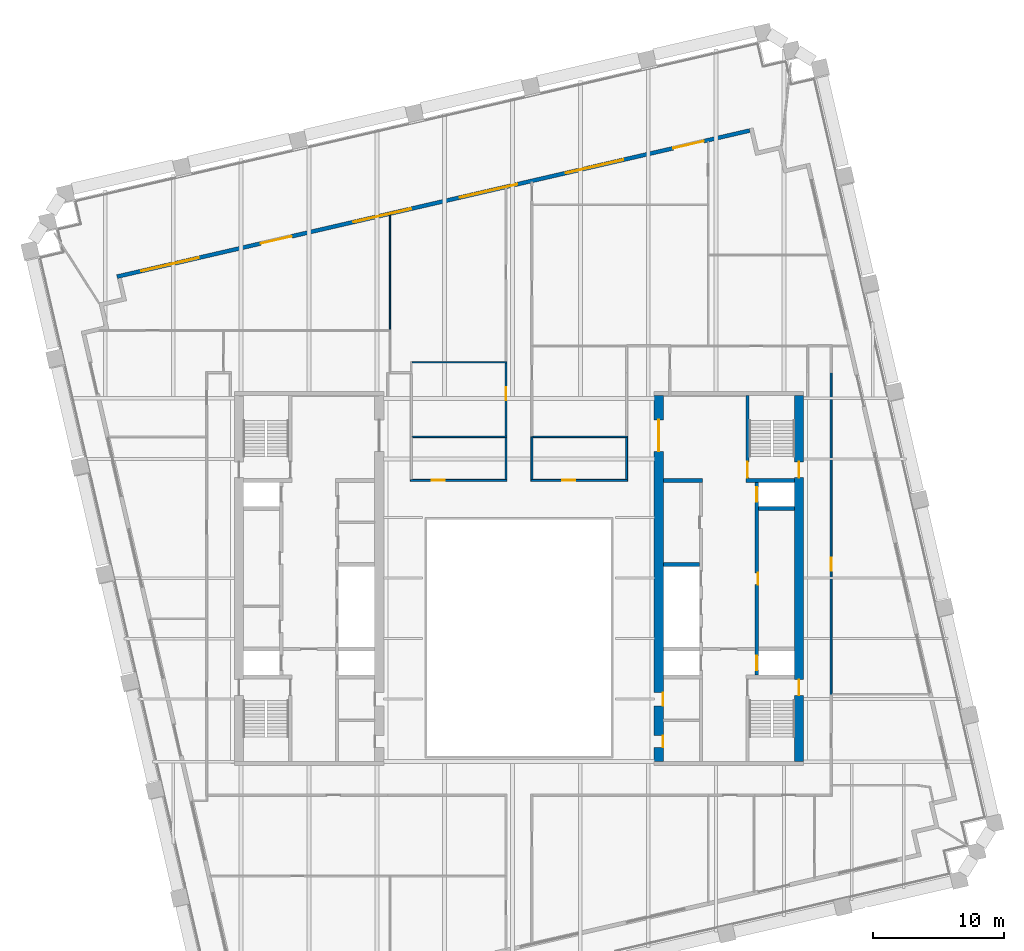
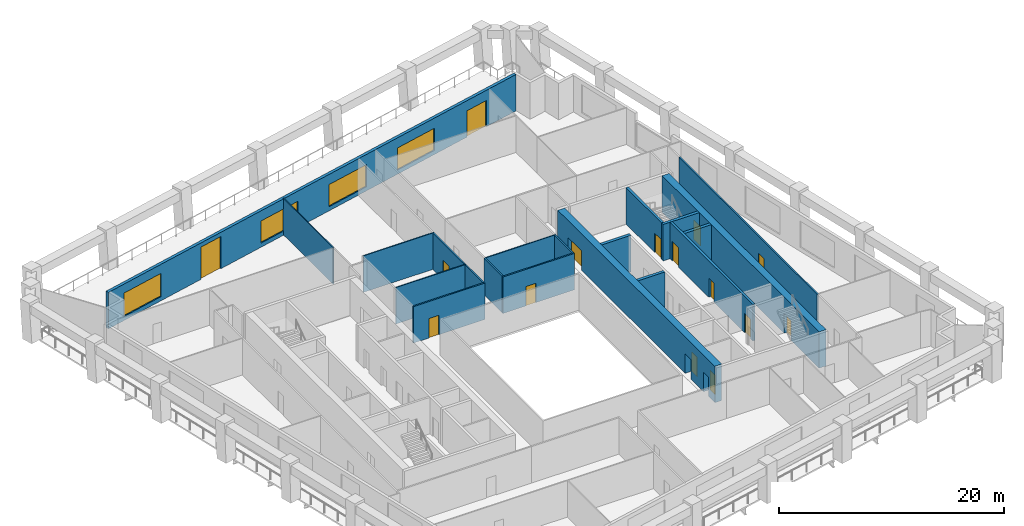
# One storey, part 7 of 11: 20 walls, 15 doors, 4 windows, 19 openings.
"""IFC4 building model written with IfcOpenShell, lengths in metres."""

from ifc_helpers import new_model, si_unit, direction, frame, frame_2d, origin, place, context, subcontext, project, spatial, rectangle, extrude, material, layer, layer_set, type_object, element, fill, save


model = new_model("IFC4")

# Units and contexts
model_context = context("Model", 3, precision=1e-05, world=origin(), true_north=direction((0.0, 1.0)))
body_context = subcontext(model_context, "Body", "Model", "MODEL_VIEW")
ifc_project = project(units=[si_unit("LENGTHUNIT", "METRE"), si_unit("AREAUNIT", "SQUARE_METRE"), si_unit("VOLUMEUNIT", "CUBIC_METRE"), si_unit("PLANEANGLEUNIT", "RADIAN"), si_unit("MASSUNIT", "GRAM", prefix="KILO")], contexts=[model_context])

# Site, building, storey
site_placement = place(None, origin())
site = spatial("IfcSite", under=ifc_project, at=site_placement, CompositionType="ELEMENT")
building_placement = place(site_placement, origin())
building = spatial("IfcBuilding", under=site, at=building_placement, Name="Ogive Exchange Tower", CompositionType="ELEMENT")
storey_placement = place(building_placement, frame((0.0, 0.0, 217.800048828125)))
storey = spatial("IfcBuildingStorey", under=building, at=storey_placement, Name="L48", CompositionType="ELEMENT", Elevation=217.800048828125)

# Wall
ifc_material_1 = material(Name="Gypsum board partition")
ifc_layer_1 = layer(ifc_material_1, 0.300048828125)
ifc_layer_set_1 = layer_set([ifc_layer_1], Name="Core room partition 300 gypsum")
wall_type_1 = type_object("IfcWallType", Name="Core room partition 300 gypsum", PredefinedType="PARTITIONING", material=ifc_layer_set_1)
wall_1_placement = place(storey_placement, frame((11.0, 19.0, 0.0), z_axis=(0.0, 0.0, 1.0), x_axis=(1.0, 0.0, 0.0)))
element("IfcWall", 1, at=wall_1_placement, inside=storey, type_object=wall_type_1, Name="E row B room end wall 7", PredefinedType="PARTITIONING", context=body_context, shape_type="SweptSolid", body=[
    extrude(rectangle(XDim=3.0, YDim=0.300048828125, at=frame_2d((1.5, 0.0))), origin(), (0.0, 0.0, 1.0), 3.949951171875),
])

# Wall, opening, door
ifc_material_2 = material(Name="Fire partition EI 60 150")
ifc_layer_2 = layer(ifc_material_2, 0.14990234375)
ifc_layer_set_2 = layer_set([ifc_layer_2], Name="Fire partition EI 60 150")
wall_type_2 = type_object("IfcWallType", Name="Fire partition EI 60 150", PredefinedType="PARTITIONING", material=ifc_layer_set_2)
wall_2_placement = place(storey_placement, frame((-8.27490234375, 19.0, 0.0), z_axis=(0.0, 0.0, 1.0), x_axis=(1.0, 0.0, 0.0)))
wall_2 = element("IfcWall", 2, at=wall_2_placement, inside=storey, type_object=wall_type_2, Name="L48-PWL-023", PredefinedType="PARTITIONING", context=body_context, shape_type="SweptSolid", body=[
    extrude(rectangle(XDim=7.35986328125, YDim=0.14990234375, at=frame_2d((3.679931640625, 0.0))), origin(), (0.0, 0.0, 1.0), 3.949951171875),
])
opening_1_placement = place(wall_2_placement, frame((1.635009765625, 0.0, 0.0)))
opening_1 = element("IfcOpeningElement", 3, at=opening_1_placement, cuts=wall_2, Name="Opening L48-I02", PredefinedType="OPENING", context=body_context, shape_type="SweptSolid", body=[
    extrude(rectangle(XDim=1.0, YDim=2.10009765625, at=frame_2d((0.5, 1.050048828125))), frame((0.0, 0.0849609375, 0.0), z_axis=(0.0, -1.0, 0.0), x_axis=(1.0, 0.0, 0.0)), (0.0, 0.0, 1.0), 0.169921875),
])
ifc_material_3 = material(Name="Fire door FD 30S 1000 x 2100")
door_type_1 = type_object("IfcDoorType", Name="Fire door FD 30S 1000 x 2100", OperationType="NOTDEFINED", PredefinedType="DOOR", material=ifc_material_3)
door_1_placement = place(opening_1_placement, origin())
door_1 = element("IfcDoor", 4, at=door_1_placement, inside=storey, type_object=door_type_1, Name="L48-IDR-002", ObjectType="DT3", OperationType="SINGLE_SWING_RIGHT", OverallHeight=2.10009765625, OverallWidth=1.0, PredefinedType="DOOR", context=body_context, shape_type="SweptSolid", body=[
    extrude(rectangle(XDim=1.0, YDim=2.10009765625, at=frame_2d((0.5, 1.050048828125))), frame((0.0, 0.02490234375, 0.0), z_axis=(0.0, -1.0, 0.0), x_axis=(1.0, 0.0, 0.0)), (0.0, 0.0, 1.0), 0.050048828125),
])
fill(opening_1, door_1)

# Wall
wall_3_placement = place(storey_placement, frame((-0.989990234375, 19.074951171875, 0.0), z_axis=(0.0, 0.0, 1.0), x_axis=(0.0, 1.0, 0.0)))
element("IfcWall", 5, at=wall_3_placement, inside=storey, type_object=wall_type_2, Name="L48-PWL-031", PredefinedType="PARTITIONING", context=body_context, shape_type="SweptSolid", body=[
    extrude(rectangle(XDim=3.18505859375, YDim=0.14990234375, at=frame_2d((1.592529296875, 0.0))), origin(), (0.0, 0.0, 1.0), 3.949951171875),
])

# Wall, opening, door
wall_4_placement = place(storey_placement, frame((-0.989990234375, 22.360107421875, 0.0), z_axis=(0.0, 0.0, 1.0), x_axis=(0.0, 1.0, 0.0)))
wall_4 = element("IfcWall", 6, at=wall_4_placement, inside=storey, type_object=wall_type_2, Name="L48-PWL-032", PredefinedType="PARTITIONING", context=body_context, shape_type="SweptSolid", body=[
    extrude(rectangle(XDim=5.58984375, YDim=0.14990234375, at=frame_2d((2.794921875, 0.0))), origin(), (0.0, 0.0, 1.0), 3.949951171875),
])
opening_2_placement = place(wall_4_placement, frame((2.739990234375, 0.0, 0.0)))
opening_2 = element("IfcOpeningElement", 7, at=opening_2_placement, cuts=wall_4, Name="Opening L48-I03", PredefinedType="OPENING", context=body_context, shape_type="SweptSolid", body=[
    extrude(rectangle(XDim=1.0, YDim=2.10009765625, at=frame_2d((0.5, 1.050048828125))), frame((0.0, 0.0849609375, 0.0), z_axis=(0.0, -1.0, 0.0), x_axis=(1.0, 0.0, 0.0)), (0.0, 0.0, 1.0), 0.169921875),
])
door_2_placement = place(opening_2_placement, origin())
door_2 = element("IfcDoor", 8, at=door_2_placement, inside=storey, type_object=door_type_1, Name="L48-IDR-003", ObjectType="DT3", OperationType="SINGLE_SWING_LEFT", OverallHeight=2.10009765625, OverallWidth=1.0, PredefinedType="DOOR", context=body_context, shape_type="SweptSolid", body=[
    extrude(rectangle(XDim=1.0, YDim=2.10009765625, at=frame_2d((0.5, 1.050048828125))), frame((0.0, 0.02490234375, 0.0), z_axis=(0.0, -1.0, 0.0), x_axis=(1.0, 0.0, 0.0)), (0.0, 0.0, 1.0), 0.050048828125),
])
fill(opening_2, door_2)

wall_5_placement = place(storey_placement, frame((0.9150390625, 19.0, 0.0), z_axis=(0.0, 0.0, 1.0), x_axis=(1.0, 0.0, 0.0)))
wall_5 = element("IfcWall", 9, at=wall_5_placement, inside=storey, type_object=wall_type_2, Name="L48-PWL-035", PredefinedType="PARTITIONING", context=body_context, shape_type="SweptSolid", body=[
    extrude(rectangle(XDim=7.35986328125, YDim=0.14990234375, at=frame_2d((3.679931640625, 0.0))), origin(), (0.0, 0.0, 1.0), 3.949951171875),
])
opening_3_placement = place(wall_5_placement, frame((2.385009765625, 0.0, 0.0)))
opening_3 = element("IfcOpeningElement", 10, at=opening_3_placement, cuts=wall_5, Name="Opening L48-I12", PredefinedType="OPENING", context=body_context, shape_type="SweptSolid", body=[
    extrude(rectangle(XDim=1.0, YDim=2.10009765625, at=frame_2d((0.5, 1.050048828125))), frame((0.0, 0.0849609375, 0.0), z_axis=(0.0, -1.0, 0.0), x_axis=(1.0, 0.0, 0.0)), (0.0, 0.0, 1.0), 0.169921875),
])
door_3_placement = place(opening_3_placement, origin())
door_3 = element("IfcDoor", 11, at=door_3_placement, inside=storey, type_object=door_type_1, Name="L48-IDR-012", ObjectType="DT3", OperationType="SINGLE_SWING_RIGHT", OverallHeight=2.10009765625, OverallWidth=1.0, PredefinedType="DOOR", context=body_context, shape_type="SweptSolid", body=[
    extrude(rectangle(XDim=1.0, YDim=2.10009765625, at=frame_2d((0.5, 1.050048828125))), frame((0.0, 0.02490234375, 0.0), z_axis=(0.0, -1.0, 0.0), x_axis=(1.0, 0.0, 0.0)), (0.0, 0.0, 1.0), 0.050048828125),
])
fill(opening_3, door_3)

# Walls
wall_6_placement = place(storey_placement, frame((0.989990234375, 22.31005859375, 0.0), z_axis=(0.0, 0.0, 1.0), x_axis=(0.0, -1.0, 0.0)))
element("IfcWall", 12, at=wall_6_placement, inside=storey, type_object=wall_type_2, Name="L48-PWL-036", PredefinedType="PARTITIONING", context=body_context, shape_type="SweptSolid", body=[
    extrude(rectangle(XDim=3.235107421875, YDim=0.14990234375, at=frame_2d((1.61767578125, 0.0))), origin(), (0.0, 0.0, 1.0), 3.949951171875),
])
wall_7_placement = place(storey_placement, frame((8.199951171875, 19.074951171875, 0.0), z_axis=(0.0, 0.0, 1.0), x_axis=(0.0, 1.0, 0.0)))
element("IfcWall", 13, at=wall_7_placement, inside=storey, type_object=wall_type_2, Name="L48-PWL-042", PredefinedType="PARTITIONING", context=body_context, shape_type="SweptSolid", body=[
    extrude(rectangle(XDim=3.18505859375, YDim=0.14990234375, at=frame_2d((1.592529296875, 0.0))), origin(), (0.0, 0.0, 1.0), 3.949951171875),
])

# Wall, opening, door
wall_8_placement = place(storey_placement, frame((23.800048828125, 27.199951171875, 0.0), z_axis=(0.0, 0.0, 1.0), x_axis=(0.0, -1.0, 0.0)))
wall_8 = element("IfcWall", 14, at=wall_8_placement, inside=storey, type_object=wall_type_2, Name="L48-PWL-069", PredefinedType="PARTITIONING", context=body_context, shape_type="SweptSolid", body=[
    extrude(rectangle(XDim=24.56005859375, YDim=0.14990234375, at=frame_2d((12.280029296875, 0.0))), origin(), (0.0, 0.0, 1.0), 3.949951171875),
])
opening_4_placement = place(wall_8_placement, frame((14.110107421875, 0.0, 0.0)))
opening_4 = element("IfcOpeningElement", 15, at=opening_4_placement, cuts=wall_8, Name="Opening L48-I16", PredefinedType="OPENING", context=body_context, shape_type="SweptSolid", body=[
    extrude(rectangle(XDim=1.0, YDim=2.10009765625, at=frame_2d((0.5, 1.050048828125))), frame((0.0, 0.0849609375, 0.0), z_axis=(0.0, -1.0, 0.0), x_axis=(1.0, 0.0, 0.0)), (0.0, 0.0, 1.0), 0.169921875),
])
door_4_placement = place(opening_4_placement, origin())
door_4 = element("IfcDoor", 16, at=door_4_placement, inside=storey, type_object=door_type_1, Name="L48-IDR-016", ObjectType="DT3", OperationType="SINGLE_SWING_RIGHT", OverallHeight=2.10009765625, OverallWidth=1.0, PredefinedType="DOOR", context=body_context, shape_type="SweptSolid", body=[
    extrude(rectangle(XDim=1.0, YDim=2.10009765625, at=frame_2d((0.5, 1.050048828125))), frame((0.0, 0.02490234375, 0.0), z_axis=(0.0, -1.0, 0.0), x_axis=(1.0, 0.0, 0.0)), (0.0, 0.0, 1.0), 0.050048828125),
])
fill(opening_4, door_4)

# Wall, openings, doors, windows
ifc_material_4 = material(Name="Precast concrete C40/50", Category="concrete")
ifc_layer_3 = layer(ifc_material_4, 0.300048828125)
ifc_layer_set_3 = layer_set([ifc_layer_3], Name="Limestone-faced wall 300")
wall_type_3 = type_object("IfcWallType", Name="Limestone-faced wall 300", PredefinedType="STANDARD", material=ifc_layer_set_3)
wall_9_placement = place(storey_placement, frame((17.592041015625, 45.6572265625, 0.0), z_axis=(0.0, 0.0, 1.0), x_axis=(-0.974370243697, -0.224950279389, 0.0)))
wall_9 = element("IfcWall", 17, at=wall_9_placement, inside=storey, type_object=wall_type_3, Name="External wall N3", PredefinedType="STANDARD", context=body_context, shape_type="SweptSolid", body=[
    extrude(rectangle(XDim=49.499755859375, YDim=0.300048828125, at=frame_2d((24.75, 0.0))), origin(), (0.0, 0.0, 1.0), 3.949951171875),
])
opening_5_placement = place(wall_9_placement, frame((3.60009765625, 0.0, 0.0)))
opening_5 = element("IfcOpeningElement", 18, at=opening_5_placement, cuts=wall_9, Name="Opening D1R", PredefinedType="OPENING", context=body_context, shape_type="SweptSolid", body=[
    extrude(rectangle(XDim=2.39990234375, YDim=2.85009765625, at=frame_2d((1.199951171875, 1.425048828125))), frame((0.0, 0.159912109375, 0.0), z_axis=(0.0, -1.0, 0.0), x_axis=(1.0, 0.0, 0.0)), (0.0, 0.0, 1.0), 0.320068359375),
])
opening_6_placement = place(wall_9_placement, frame((9.89990234375, 0.0, 0.449951171875)))
opening_6 = element("IfcOpeningElement", 19, at=opening_6_placement, cuts=wall_9, Name="Opening W1R", PredefinedType="OPENING", context=body_context, shape_type="SweptSolid", body=[
    extrude(rectangle(XDim=4.5, YDim=2.39990234375, at=frame_2d((2.25, 1.199951171875))), frame((0.0, 0.159912109375, 0.0), z_axis=(0.0, -1.0, 0.0), x_axis=(1.0, 0.0, 0.0)), (0.0, 0.0, 1.0), 0.320068359375),
])
opening_7_placement = place(wall_9_placement, frame((18.199951171875, 0.0, 0.449951171875)))
opening_7 = element("IfcOpeningElement", 20, at=opening_7_placement, cuts=wall_9, Name="Opening W1R", PredefinedType="OPENING", context=body_context, shape_type="SweptSolid", body=[
    extrude(rectangle(XDim=4.5, YDim=2.39990234375, at=frame_2d((2.25, 1.199951171875))), frame((0.0, 0.159912109375, 0.0), z_axis=(0.0, -1.0, 0.0), x_axis=(1.0, 0.0, 0.0)), (0.0, 0.0, 1.0), 0.320068359375),
])
opening_8_placement = place(wall_9_placement, frame((26.5, 0.0, 0.449951171875)))
opening_8 = element("IfcOpeningElement", 21, at=opening_8_placement, cuts=wall_9, Name="Opening W1R", PredefinedType="OPENING", context=body_context, shape_type="SweptSolid", body=[
    extrude(rectangle(XDim=4.5, YDim=2.39990234375, at=frame_2d((2.25, 1.199951171875))), frame((0.0, 0.159912109375, 0.0), z_axis=(0.0, -1.0, 0.0), x_axis=(1.0, 0.0, 0.0)), (0.0, 0.0, 1.0), 0.320068359375),
])
opening_9_placement = place(wall_9_placement, frame((35.85009765625, 0.0, 0.0)))
opening_9 = element("IfcOpeningElement", 22, at=opening_9_placement, cuts=wall_9, Name="Opening D1", PredefinedType="OPENING", context=body_context, shape_type="SweptSolid", body=[
    extrude(rectangle(XDim=2.39990234375, YDim=3.5, at=frame_2d((1.199951171875, 1.75))), frame((0.0, 0.159912109375, 0.0), z_axis=(0.0, -1.0, 0.0), x_axis=(1.0, 0.0, 0.0)), (0.0, 0.0, 1.0), 0.320068359375),
])
opening_10_placement = place(wall_9_placement, frame((43.10009765625, 0.0, 0.449951171875)))
opening_10 = element("IfcOpeningElement", 23, at=opening_10_placement, cuts=wall_9, Name="Opening W1N", PredefinedType="OPENING", context=body_context, shape_type="SweptSolid", body=[
    extrude(rectangle(XDim=4.5, YDim=2.52490234375, at=frame_2d((2.25, 1.262451171875))), frame((0.0, 0.159912109375, 0.0), z_axis=(0.0, -1.0, 0.0), x_axis=(1.0, 0.0, 0.0)), (0.0, 0.0, 1.0), 0.320068359375),
])
ifc_material_5 = material(Name="Clear glass in bronze frame", Category="glass")
door_type_2 = type_object("IfcDoorType", Name="Sliding loggia door 2400 x 2850", OperationType="DOUBLE_DOOR_SLIDING", PredefinedType="DOOR", material=ifc_material_5)
door_5_placement = place(opening_5_placement, origin())
door_5 = element("IfcDoor", 24, at=door_5_placement, inside=storey, type_object=door_type_2, Name="Loggia door N00", OperationType="DOUBLE_DOOR_SLIDING", OverallHeight=2.85009765625, OverallWidth=2.39990234375, PredefinedType="DOOR", context=body_context, shape_type="SweptSolid", body=[
    extrude(rectangle(XDim=2.39990234375, YDim=2.85009765625, at=frame_2d((1.199951171875, 1.425048828125))), frame((0.0, 0.02490234375, 0.0), z_axis=(0.0, -1.0, 0.0), x_axis=(1.0, 0.0, 0.0)), (0.0, 0.0, 1.0), 0.050048828125),
])
fill(opening_5, door_5)
door_type_3 = type_object("IfcDoorType", Name="Sliding loggia door 2400 x 3500", OperationType="DOUBLE_DOOR_SLIDING", PredefinedType="DOOR", material=ifc_material_5)
door_6_placement = place(opening_9_placement, origin())
door_6 = element("IfcDoor", 25, at=door_6_placement, inside=storey, type_object=door_type_3, Name="Loggia door N04", OperationType="DOUBLE_DOOR_SLIDING", OverallHeight=3.5, OverallWidth=2.39990234375, PredefinedType="DOOR", context=body_context, shape_type="SweptSolid", body=[
    extrude(rectangle(XDim=2.39990234375, YDim=3.5, at=frame_2d((1.199951171875, 1.75))), frame((0.0, 0.02490234375, 0.0), z_axis=(0.0, -1.0, 0.0), x_axis=(1.0, 0.0, 0.0)), (0.0, 0.0, 1.0), 0.050048828125),
])
fill(opening_9, door_6)
window_type_1 = type_object("IfcWindowType", Name="Twin lancet window 4500 x 2400", PartitioningType="DOUBLE_PANEL_VERTICAL", PredefinedType="WINDOW", material=ifc_material_5)
window_1_placement = place(opening_6_placement, origin())
window_1 = element("IfcWindow", 26, at=window_1_placement, inside=storey, type_object=window_type_1, Name="Window N01", OverallHeight=2.39990234375, OverallWidth=4.5, PartitioningType="DOUBLE_PANEL_VERTICAL", PredefinedType="WINDOW", context=body_context, shape_type="SweptSolid", body=[
    extrude(rectangle(XDim=4.5, YDim=2.39990234375, at=frame_2d((2.25, 1.199951171875))), frame((0.0, 0.030029296875, 0.0), z_axis=(0.0, -1.0, 0.0), x_axis=(1.0, 0.0, 0.0)), (0.0, 0.0, 1.0), 0.06005859375),
])
fill(opening_6, window_1)
window_2_placement = place(opening_7_placement, origin())
window_2 = element("IfcWindow", 27, at=window_2_placement, inside=storey, type_object=window_type_1, Name="Window N02", OverallHeight=2.39990234375, OverallWidth=4.5, PartitioningType="DOUBLE_PANEL_VERTICAL", PredefinedType="WINDOW", context=body_context, shape_type="SweptSolid", body=[
    extrude(rectangle(XDim=4.5, YDim=2.39990234375, at=frame_2d((2.25, 1.199951171875))), frame((0.0, 0.030029296875, 0.0), z_axis=(0.0, -1.0, 0.0), x_axis=(1.0, 0.0, 0.0)), (0.0, 0.0, 1.0), 0.06005859375),
])
fill(opening_7, window_2)
window_3_placement = place(opening_8_placement, origin())
window_3 = element("IfcWindow", 28, at=window_3_placement, inside=storey, type_object=window_type_1, Name="Window N03", OverallHeight=2.39990234375, OverallWidth=4.5, PartitioningType="DOUBLE_PANEL_VERTICAL", PredefinedType="WINDOW", context=body_context, shape_type="SweptSolid", body=[
    extrude(rectangle(XDim=4.5, YDim=2.39990234375, at=frame_2d((2.25, 1.199951171875))), frame((0.0, 0.030029296875, 0.0), z_axis=(0.0, -1.0, 0.0), x_axis=(1.0, 0.0, 0.0)), (0.0, 0.0, 1.0), 0.06005859375),
])
fill(opening_8, window_3)
window_type_2 = type_object("IfcWindowType", Name="Twin lancet window 4500 x 2525", PartitioningType="DOUBLE_PANEL_VERTICAL", PredefinedType="WINDOW", material=ifc_material_5)
window_4_placement = place(opening_10_placement, origin())
window_4 = element("IfcWindow", 29, at=window_4_placement, inside=storey, type_object=window_type_2, Name="Window N05", OverallHeight=2.52490234375, OverallWidth=4.5, PartitioningType="DOUBLE_PANEL_VERTICAL", PredefinedType="WINDOW", context=body_context, shape_type="SweptSolid", body=[
    extrude(rectangle(XDim=4.5, YDim=2.52490234375, at=frame_2d((2.25, 1.262451171875))), frame((0.0, 0.030029296875, 0.0), z_axis=(0.0, -1.0, 0.0), x_axis=(1.0, 0.0, 0.0)), (0.0, 0.0, 1.0), 0.06005859375),
])
fill(opening_10, window_4)

# Walls
ifc_material_6 = material(Name="Partition 100 gypsum")
ifc_layer_4 = layer(ifc_material_6, 0.10009765625)
ifc_layer_set_4 = layer_set([ifc_layer_4], Name="Partition 100 gypsum")
wall_type_4 = type_object("IfcWallType", Name="Partition 100 gypsum", PredefinedType="PARTITIONING", material=ifc_layer_set_4)
wall_10_placement = place(storey_placement, frame((-9.830078125, 30.419921875, 0.0), z_axis=(0.0, 0.0, 1.0), x_axis=(0.0, 1.0, 0.0)))
element("IfcWall", 30, at=wall_10_placement, inside=storey, type_object=wall_type_4, Name="L48-PWL-020", PredefinedType="PARTITIONING", context=body_context, shape_type="SweptSolid", body=[
    extrude(rectangle(XDim=8.8349609375, YDim=0.10009765625, at=frame_2d((4.41748046875, 0.0))), origin(), (0.0, 0.0, 1.0), 3.949951171875),
])
wall_11_placement = place(storey_placement, frame((-8.159912109375, 28.0, 0.0), z_axis=(0.0, 0.0, 1.0), x_axis=(1.0, 0.0, 0.0)))
element("IfcWall", 31, at=wall_11_placement, inside=storey, type_object=wall_type_4, Name="L48-PWL-022", PredefinedType="PARTITIONING", context=body_context, shape_type="SweptSolid", body=[
    extrude(rectangle(XDim=7.244873046875, YDim=0.10009765625, at=frame_2d((3.62255859375, 0.0))), origin(), (0.0, 0.0, 1.0), 3.949951171875),
])
for number, where, z_axis, x_axis, name in (
    (32, (-8.125, 22.31005859375, 0.0), (0.0, 0.0, 1.0), (1.0, 0.0, 0.0), "L48-PWL-025"),
    (33, (1.06494140625, 22.31005859375, 0.0), (0.0, 0.0, 1.0), (1.0, 0.0, 0.0), "L48-PWL-037"),
):
    element("IfcWall", number, at=place(storey_placement, frame(where, z_axis=z_axis, x_axis=x_axis)), inside=storey, type_object=wall_type_4, Name=name, PredefinedType="PARTITIONING", context=body_context, shape_type="SweptSolid", body=[
        extrude(rectangle(XDim=7.2099609375, YDim=0.10009765625, at=frame_2d((3.60498046875, 0.0))), origin(), (0.0, 0.0, 1.0), 3.949951171875),
    ])

# Wall, opening, door
ifc_material_7 = material(Name="Concrete C70/85", Category="concrete")
ifc_layer_5 = layer(ifc_material_7, 0.25)
ifc_layer_set_5 = layer_set([ifc_layer_5], Name="RC core wall 250 C70/85")
wall_type_5 = type_object("IfcWallType", Name="RC core wall 250 C70/85", PredefinedType="SHEAR", material=ifc_layer_set_5)
wall_12_placement = place(storey_placement, frame((17.425048828125, 19.14990234375, 0.0), z_axis=(0.0, 0.0, 1.0), x_axis=(0.0, 1.0, 0.0)))
wall_12 = element("IfcWall", 34, at=wall_12_placement, inside=storey, type_object=wall_type_5, Name="E stair N front wall", PredefinedType="SHEAR", context=body_context, shape_type="SweptSolid", body=[
    extrude(rectangle(XDim=6.300048828125, YDim=0.25, at=frame_2d((3.14990234375, 0.0))), origin(), (0.0, 0.0, 1.0), 3.949951171875),
])
opening_11_placement = place(wall_12_placement, frame((0.050048828125, 0.0, 0.0)))
opening_11 = element("IfcOpeningElement", 35, at=opening_11_placement, cuts=wall_12, Name="Opening L48-C31", PredefinedType="OPENING", context=body_context, shape_type="SweptSolid", body=[
    extrude(rectangle(XDim=1.199951171875, YDim=2.10009765625, at=frame_2d((0.60009765625, 1.050048828125))), frame((0.0, 0.135009765625, 0.0), z_axis=(0.0, -1.0, 0.0), x_axis=(1.0, 0.0, 0.0)), (0.0, 0.0, 1.0), 0.27001953125),
])
ifc_material_8 = material(Name="Steel fire door", Category="steel")
door_type_4 = type_object("IfcDoorType", Name="Stair door FD90 1200 x 2100", OperationType="NOTDEFINED", PredefinedType="DOOR", material=ifc_material_8)
door_7_placement = place(opening_11_placement, frame((1.199951171875, 0.0, 0.0), z_axis=(0.0, 0.0, 1.0), x_axis=(-1.0, 0.0, 0.0)))
door_7 = element("IfcDoor", 36, at=door_7_placement, inside=storey, type_object=door_type_4, Name="Stair door", ObjectType="CD5", OperationType="SINGLE_SWING_LEFT", OverallHeight=2.10009765625, OverallWidth=1.199951171875, PredefinedType="DOOR", context=body_context, shape_type="SweptSolid", body=[
    extrude(rectangle(XDim=1.199951171875, YDim=2.10009765625, at=frame_2d((0.60009765625, 1.050048828125))), frame((0.0, 0.02490234375, 0.0), z_axis=(0.0, -1.0, 0.0), x_axis=(1.0, 0.0, 0.0)), (0.0, 0.0, 1.0), 0.050048828125),
])
fill(opening_11, door_7)

# Wall, openings, doors
wall_13_placement = place(storey_placement, frame((18.125, 4.14990234375, 0.0), z_axis=(0.0, 0.0, 1.0), x_axis=(0.0, 1.0, 0.0)))
wall_13 = element("IfcWall", 37, at=wall_13_placement, inside=storey, type_object=wall_type_5, Name="E row A front wall", PredefinedType="SHEAR", context=body_context, shape_type="SweptSolid", body=[
    extrude(rectangle(XDim=14.7001953125, YDim=0.25, at=frame_2d((7.35009765625, 0.0))), origin(), (0.0, 0.0, 1.0), 3.949951171875),
])
opening_12_placement = place(wall_13_placement, frame((6.89990234375, 0.0, 0.0)))
opening_12 = element("IfcOpeningElement", 38, at=opening_12_placement, cuts=wall_13, Name="Opening L48-C19", PredefinedType="OPENING", context=body_context, shape_type="SweptSolid", body=[
    extrude(rectangle(XDim=0.89990234375, YDim=2.10009765625, at=frame_2d((0.449951171875, 1.050048828125))), frame((0.0, 0.135009765625, 0.0), z_axis=(0.0, -1.0, 0.0), x_axis=(1.0, 0.0, 0.0)), (0.0, 0.0, 1.0), 0.27001953125),
])
opening_13_placement = place(wall_13_placement, frame((0.371337890625, 0.0, 0.0)))
opening_13 = element("IfcOpeningElement", 39, at=opening_13_placement, cuts=wall_13, Name="Opening L48-C20", PredefinedType="OPENING", context=body_context, shape_type="SweptSolid", body=[
    extrude(rectangle(XDim=1.10009765625, YDim=2.10009765625, at=frame_2d((0.550048828125, 1.050048828125))), frame((0.0, 0.135009765625, 0.0), z_axis=(0.0, -1.0, 0.0), x_axis=(1.0, 0.0, 0.0)), (0.0, 0.0, 1.0), 0.27001953125),
])
opening_14_placement = place(wall_13_placement, frame((13.228515625, 0.0, 0.0)))
opening_14 = element("IfcOpeningElement", 40, at=opening_14_placement, cuts=wall_13, Name="Opening L48-C21", PredefinedType="OPENING", context=body_context, shape_type="SweptSolid", body=[
    extrude(rectangle(XDim=1.10009765625, YDim=2.10009765625, at=frame_2d((0.550048828125, 1.050048828125))), frame((0.0, 0.135009765625, 0.0), z_axis=(0.0, -1.0, 0.0), x_axis=(1.0, 0.0, 0.0)), (0.0, 0.0, 1.0), 0.27001953125),
])
ifc_material_9 = material(Name="Stainless steel", Category="steel")
door_type_5 = type_object("IfcDoorType", Name="Lift landing door FD90 1100 x 2100", OperationType="SLIDING_TO_LEFT", PredefinedType="DOOR", material=ifc_material_9)
door_8_placement = place(opening_13_placement, origin())
door_8 = element("IfcDoor", 41, at=door_8_placement, inside=storey, type_object=door_type_5, Name="Lift landing door FF2", ObjectType="LD", OperationType="SLIDING_TO_LEFT", OverallHeight=2.10009765625, OverallWidth=1.10009765625, PredefinedType="DOOR", context=body_context, shape_type="SweptSolid", body=[
    extrude(rectangle(XDim=1.10009765625, YDim=2.10009765625, at=frame_2d((0.550048828125, 1.050048828125))), frame((0.0, 0.02490234375, 0.0), z_axis=(0.0, -1.0, 0.0), x_axis=(1.0, 0.0, 0.0)), (0.0, 0.0, 1.0), 0.050048828125),
])
fill(opening_13, door_8)
door_9_placement = place(opening_14_placement, origin())
door_9 = element("IfcDoor", 42, at=door_9_placement, inside=storey, type_object=door_type_5, Name="Lift landing door E-SH2", ObjectType="LD", OperationType="SLIDING_TO_LEFT", OverallHeight=2.10009765625, OverallWidth=1.10009765625, PredefinedType="DOOR", context=body_context, shape_type="SweptSolid", body=[
    extrude(rectangle(XDim=1.10009765625, YDim=2.10009765625, at=frame_2d((0.550048828125, 1.050048828125))), frame((0.0, 0.02490234375, 0.0), z_axis=(0.0, -1.0, 0.0), x_axis=(1.0, 0.0, 0.0)), (0.0, 0.0, 1.0), 0.050048828125),
])
fill(opening_14, door_9)
door_type_6 = type_object("IfcDoorType", Name="Riser door FD60 900 x 2100", OperationType="NOTDEFINED", PredefinedType="DOOR", material=ifc_material_8)
door_10_placement = place(opening_12_placement, frame((0.89990234375, -0.2001953125, 0.0), z_axis=(0.0, 0.0, 1.0), x_axis=(-1.0, 0.0, 0.0)))
door_10 = element("IfcDoor", 43, at=door_10_placement, inside=storey, type_object=door_type_6, Name="Riser door", ObjectType="CD2", OperationType="SINGLE_SWING_RIGHT", OverallHeight=2.10009765625, OverallWidth=0.89990234375, PredefinedType="DOOR", context=body_context, shape_type="SweptSolid", body=[
    extrude(rectangle(XDim=0.89990234375, YDim=2.10009765625, at=frame_2d((0.449951171875, 1.050048828125))), frame((0.0, -0.0751953125, 0.0), z_axis=(0.0, -1.0, 0.0), x_axis=(1.0, 0.0, 0.0)), (0.0, 0.0, 1.0), 0.050048828125),
])
fill(opening_12, door_10)

# Walls
ifc_layer_6 = layer(ifc_material_7, 0.300048828125)
ifc_layer_set_6 = layer_set([ifc_layer_6], Name="RC core wall 300 C70/85")
wall_type_6 = type_object("IfcWallType", Name="RC core wall 300 C70/85", PredefinedType="SHEAR", material=ifc_layer_set_6)
wall_14_placement = place(storey_placement, frame((17.300048828125, 19.0, 0.0), z_axis=(0.0, 0.0, 1.0), x_axis=(1.0, 0.0, 0.0)))
element("IfcWall", 44, at=wall_14_placement, inside=storey, type_object=wall_type_6, Name="E stair N south wall", PredefinedType="SHEAR", context=body_context, shape_type="SweptSolid", body=[
    extrude(rectangle(XDim=3.699951171875, YDim=0.300048828125, at=frame_2d((1.85009765625, 0.0))), origin(), (0.0, 0.0, 1.0), 3.949951171875),
])
for number, where, z_axis, x_axis, name in (
    (45, (18.25, 16.857177734375, 0.0), (0.0, 0.0, 1.0), (1.0, 0.0, 0.0), "E row A divider 6"),
    (46, (11.0, 12.5712890625, 0.0), (0.0, 0.0, 1.0), (1.0, 0.0, 0.0), "E row B divider 4"),
):
    element("IfcWall", number, at=place(storey_placement, frame(where, z_axis=z_axis, x_axis=x_axis)), inside=storey, type_object=wall_type_6, Name=name, PredefinedType="SHEAR", context=body_context, shape_type="SweptSolid", body=[
        extrude(rectangle(XDim=2.75, YDim=0.300048828125, at=frame_2d((1.375, 0.0))), origin(), (0.0, 0.0, 1.0), 3.949951171875),
    ])

# Wall, openings, doors
ifc_layer_7 = layer(ifc_material_7, 0.699951171875)
ifc_layer_set_7 = layer_set([ifc_layer_7], Name="RC core wall 700 C70/85")
wall_type_7 = type_object("IfcWallType", Name="RC core wall 700 C70/85", PredefinedType="SHEAR", material=ifc_layer_set_7)
wall_15_placement = place(storey_placement, frame((21.35009765625, -2.449951171875, 0.0), z_axis=(0.0, 0.0, 1.0), x_axis=(0.0, 1.0, 0.0)))
wall_15 = element("IfcWall", 47, at=wall_15_placement, inside=storey, type_object=wall_type_7, Name="E outer wall", PredefinedType="SHEAR", context=body_context, shape_type="SweptSolid", body=[
    extrude(rectangle(XDim=27.89990234375, YDim=0.699951171875, at=frame_2d((13.949951171875, 0.0))), origin(), (0.0, 0.0, 1.0), 3.949951171875),
])
opening_15_placement = place(wall_15_placement, frame((5.050048828125, 0.0, 0.0)))
opening_15 = element("IfcOpeningElement", 48, at=opening_15_placement, cuts=wall_15, Name="Opening L48-C30", PredefinedType="OPENING", context=body_context, shape_type="SweptSolid", body=[
    extrude(rectangle(XDim=1.199951171875, YDim=2.10009765625, at=frame_2d((0.60009765625, 1.050048828125))), frame((0.0, 0.35986328125, 0.0), z_axis=(0.0, -1.0, 0.0), x_axis=(1.0, 0.0, 0.0)), (0.0, 0.0, 1.0), 0.719970703125),
])
opening_16_placement = place(wall_15_placement, frame((21.64990234375, 0.0, 0.0)))
opening_16 = element("IfcOpeningElement", 49, at=opening_16_placement, cuts=wall_15, Name="Opening L48-C32", PredefinedType="OPENING", context=body_context, shape_type="SweptSolid", body=[
    extrude(rectangle(XDim=1.199951171875, YDim=2.10009765625, at=frame_2d((0.60009765625, 1.050048828125))), frame((0.0, 0.35986328125, 0.0), z_axis=(0.0, -1.0, 0.0), x_axis=(1.0, 0.0, 0.0)), (0.0, 0.0, 1.0), 0.719970703125),
])
door_11_placement = place(opening_15_placement, origin())
door_11 = element("IfcDoor", 50, at=door_11_placement, inside=storey, type_object=door_type_4, Name="Stair door", ObjectType="CD5", OperationType="SINGLE_SWING_LEFT", OverallHeight=2.10009765625, OverallWidth=1.199951171875, PredefinedType="DOOR", context=body_context, shape_type="SweptSolid", body=[
    extrude(rectangle(XDim=1.199951171875, YDim=2.10009765625, at=frame_2d((0.60009765625, 1.050048828125))), frame((0.0, 0.02490234375, 0.0), z_axis=(0.0, -1.0, 0.0), x_axis=(1.0, 0.0, 0.0)), (0.0, 0.0, 1.0), 0.050048828125),
])
fill(opening_15, door_11)
door_12_placement = place(opening_16_placement, origin())
door_12 = element("IfcDoor", 51, at=door_12_placement, inside=storey, type_object=door_type_4, Name="Stair door", ObjectType="CD5", OperationType="SINGLE_SWING_RIGHT", OverallHeight=2.10009765625, OverallWidth=1.199951171875, PredefinedType="DOOR", context=body_context, shape_type="SweptSolid", body=[
    extrude(rectangle(XDim=1.199951171875, YDim=2.10009765625, at=frame_2d((0.60009765625, 1.050048828125))), frame((0.0, 0.02490234375, 0.0), z_axis=(0.0, -1.0, 0.0), x_axis=(1.0, 0.0, 0.0)), (0.0, 0.0, 1.0), 0.050048828125),
])
fill(opening_16, door_12)

wall_16_placement = place(storey_placement, frame((10.64990234375, -2.449951171875, 0.0), z_axis=(0.0, 0.0, 1.0), x_axis=(0.0, 1.0, 0.0)))
wall_16 = element("IfcWall", 52, at=wall_16_placement, inside=storey, type_object=wall_type_7, Name="E inner wall", PredefinedType="SHEAR", context=body_context, shape_type="SweptSolid", body=[
    extrude(rectangle(XDim=27.89990234375, YDim=0.699951171875, at=frame_2d((13.949951171875, 0.0))), origin(), (0.0, 0.0, 1.0), 3.949951171875),
])
opening_17_placement = place(wall_16_placement, frame((23.64990234375, 0.0, 0.0)))
opening_17 = element("IfcOpeningElement", 53, at=opening_17_placement, cuts=wall_16, Name="Opening L48-C28", PredefinedType="OPENING", context=body_context, shape_type="SweptSolid", body=[
    extrude(rectangle(XDim=2.39990234375, YDim=2.10009765625, at=frame_2d((1.199951171875, 1.050048828125))), frame((0.0, 0.35986328125, 0.0), z_axis=(0.0, -1.0, 0.0), x_axis=(1.0, 0.0, 0.0)), (0.0, 0.0, 1.0), 0.719970703125),
])
opening_18_placement = place(wall_16_placement, frame((1.08740234375, 0.0, 0.0)))
opening_18 = element("IfcOpeningElement", 54, at=opening_18_placement, cuts=wall_16, Name="Opening L48-C33", PredefinedType="OPENING", context=body_context, shape_type="SweptSolid", body=[
    extrude(rectangle(XDim=0.89990234375, YDim=2.10009765625, at=frame_2d((0.449951171875, 1.050048828125))), frame((0.0, 0.35986328125, 0.0), z_axis=(0.0, -1.0, 0.0), x_axis=(1.0, 0.0, 0.0)), (0.0, 0.0, 1.0), 0.719970703125),
])
opening_19_placement = place(wall_16_placement, frame((4.262451171875, 0.0, 0.0)))
opening_19 = element("IfcOpeningElement", 55, at=opening_19_placement, cuts=wall_16, Name="Opening L48-C34", PredefinedType="OPENING", context=body_context, shape_type="SweptSolid", body=[
    extrude(rectangle(XDim=1.0, YDim=2.10009765625, at=frame_2d((0.5, 1.050048828125))), frame((0.0, 0.35986328125, 0.0), z_axis=(0.0, -1.0, 0.0), x_axis=(1.0, 0.0, 0.0)), (0.0, 0.0, 1.0), 0.719970703125),
])
ifc_material_10 = material(Name="Timber fire door", Category="wood")
door_type_7 = type_object("IfcDoorType", Name="Accessible WC door FD30S 1000 x 2100", OperationType="NOTDEFINED", PredefinedType="DOOR", material=ifc_material_10)
door_13_placement = place(opening_19_placement, frame((1.0, -0.64990234375, 0.0), z_axis=(0.0, 0.0, 1.0), x_axis=(-1.0, 0.0, 0.0)))
door_13 = element("IfcDoor", 56, at=door_13_placement, inside=storey, type_object=door_type_7, Name="Accessible WC door", ObjectType="CD7", OperationType="SINGLE_SWING_LEFT", OverallHeight=2.10009765625, OverallWidth=1.0, PredefinedType="DOOR", context=body_context, shape_type="SweptSolid", body=[
    extrude(rectangle(XDim=1.0, YDim=2.10009765625, at=frame_2d((0.5, 1.050048828125))), frame((0.0, -0.2998046875, 0.0), z_axis=(0.0, -1.0, 0.0), x_axis=(1.0, 0.0, 0.0)), (0.0, 0.0, 1.0), 0.050048828125),
])
fill(opening_19, door_13)
door_type_8 = type_object("IfcDoorType", Name="Core room door FD30S 900 x 2100", OperationType="NOTDEFINED", PredefinedType="DOOR", material=ifc_material_10)
door_14_placement = place(opening_18_placement, frame((0.89990234375, -0.64990234375, 0.0), z_axis=(0.0, 0.0, 1.0), x_axis=(-1.0, 0.0, 0.0)))
door_14 = element("IfcDoor", 57, at=door_14_placement, inside=storey, type_object=door_type_8, Name="Core room door", ObjectType="CD6", OperationType="SINGLE_SWING_RIGHT", OverallHeight=2.10009765625, OverallWidth=0.89990234375, PredefinedType="DOOR", context=body_context, shape_type="SweptSolid", body=[
    extrude(rectangle(XDim=0.89990234375, YDim=2.10009765625, at=frame_2d((0.449951171875, 1.050048828125))), frame((0.0, -0.2998046875, 0.0), z_axis=(0.0, -1.0, 0.0), x_axis=(1.0, 0.0, 0.0)), (0.0, 0.0, 1.0), 0.050048828125),
])
fill(opening_18, door_14)
ifc_material_11 = material(Name="Glazed steel fire door", Category="steel")
door_type_9 = type_object("IfcDoorType", Name="Lift lobby double door FD60 2400 x 2100", OperationType="DOUBLE_DOOR_SINGLE_SWING", PredefinedType="DOOR", material=ifc_material_11)
door_15_placement = place(opening_17_placement, origin())
door_15 = element("IfcDoor", 58, at=door_15_placement, inside=storey, type_object=door_type_9, Name="Lift lobby double door", ObjectType="CD4", OperationType="DOUBLE_DOOR_SINGLE_SWING", OverallHeight=2.10009765625, OverallWidth=2.39990234375, PredefinedType="DOOR", context=body_context, shape_type="SweptSolid", body=[
    extrude(rectangle(XDim=2.39990234375, YDim=2.10009765625, at=frame_2d((1.199951171875, 1.050048828125))), frame((0.0, 0.02490234375, 0.0), z_axis=(0.0, -1.0, 0.0), x_axis=(1.0, 0.0, 0.0)), (0.0, 0.0, 1.0), 0.050048828125),
])
fill(opening_17, door_15)

save(model, "model.ifc")
